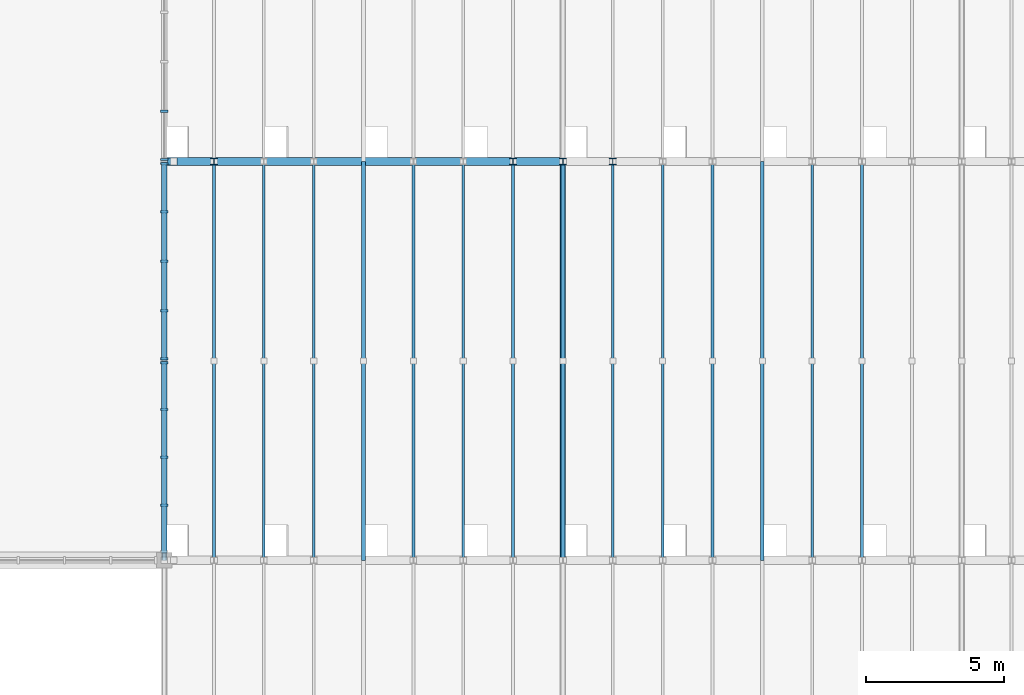
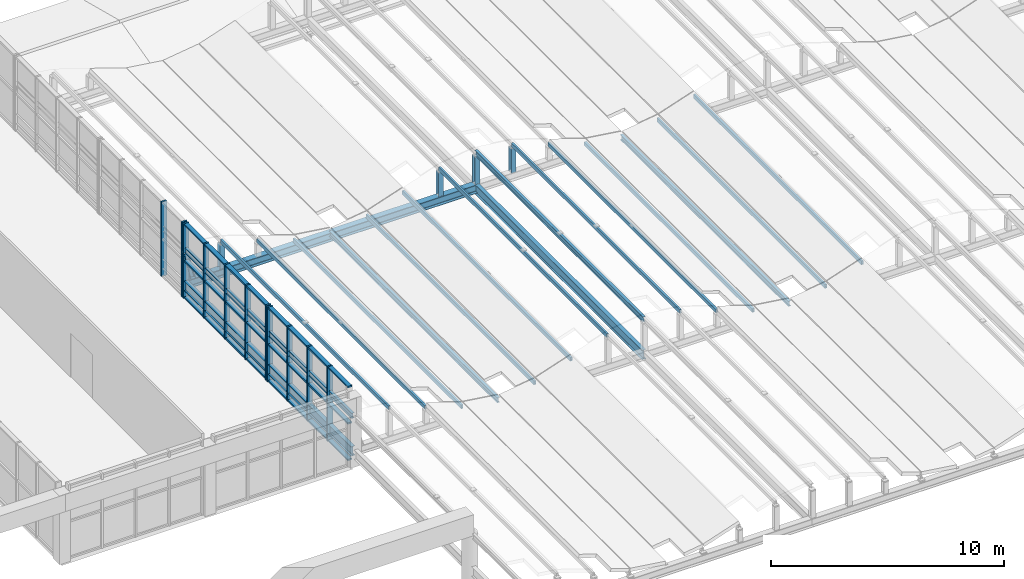
# One storey, part 15 of 83: 37 members, 3 beams, 3 elements without a shape of their own.
"""IFC4 building model written with IfcOpenShell, lengths in metres."""

from ifc_helpers import new_model, si_unit, direction, frame, origin, origin_2d, place, context, subcontext, project, spatial, rectangle, hollow_rectangle, i_section, extrude, material, material_profile, profile_set, type_object, element, aggregate, save


model = new_model("IFC4")

# Units and contexts
model_context = context("Model", 3, precision=1e-05, world=origin(), true_north=direction((0.0, 1.0)))
body_context = subcontext(model_context, "Body", "Model", "MODEL_VIEW")
ifc_project = project(units=[si_unit("LENGTHUNIT", "METRE"), si_unit("AREAUNIT", "SQUARE_METRE"), si_unit("VOLUMEUNIT", "CUBIC_METRE"), si_unit("PLANEANGLEUNIT", "RADIAN"), si_unit("MASSUNIT", "GRAM", prefix="KILO")], contexts=[model_context])

# Site, building, storey
site_placement = place(None, origin())
site = spatial("IfcSite", under=ifc_project, at=site_placement, CompositionType="ELEMENT")
building_placement = place(site_placement, origin())
building = spatial("IfcBuilding", under=site, at=building_placement, Name="Leyfeld Transit Interchange", CompositionType="ELEMENT")
storey_placement = place(building_placement, frame((0.0, 0.0, 5.39990234375)))
storey = spatial("IfcBuildingStorey", under=building, at=storey_placement, Name="L01", CompositionType="ELEMENT", Elevation=5.39990234375)

# Beams
ifc_material_1 = material(Name="Steel S355J2", Category="steel")
ifc_material_profile_1 = material_profile(ifc_material_1, i_section(OverallWidth=0.300048828125, OverallDepth=0.449951171875, WebThickness=0.013916015625, FlangeThickness=0.02587890625, FilletRadius=0.027099609375, at=origin_2d()), Name="HEB 450")
ifc_profile_set_1 = profile_set([ifc_material_profile_1], Name="Steel S355J2")
beam_type_1 = type_object("IfcBeamType", Name="BM-STL-HEB450", PredefinedType="JOIST", material=ifc_profile_set_1)
beam_placement = place(storey_placement, frame((100.800048828125, 28.800048828125, 0.675048828125), z_axis=(1.0, 0.0, 0.0), x_axis=(0.0, 1.0, 0.0)))
element("IfcBeam", 1, at=beam_placement, inside=storey, type_object=beam_type_1, Name="Bus Canopy Longitudinal Girder R3 B1", PredefinedType="JOIST", context=body_context, shape_type="SweptSolid", body=[
    extrude(i_section(OverallWidth=0.300048828125, OverallDepth=0.449951171875, WebThickness=0.013916015625, FlangeThickness=0.02587890625, FilletRadius=0.027099609375, at=origin_2d()), origin(), (0.0, 0.0, 1.0), 14.39990234375),
])
ifc_material_profile_2 = material_profile(ifc_material_1, i_section(OverallWidth=0.199951171875, OverallDepth=0.5, WebThickness=0.01025390625, FlangeThickness=0.01611328125, FilletRadius=0.02099609375, at=origin_2d()), Name="IPE 500")
ifc_profile_set_2 = profile_set([ifc_material_profile_2], Name="Steel S355J2")
beam_type_2 = type_object("IfcBeamType", Name="BM-STL-IPE500", PredefinedType="BEAM", material=ifc_profile_set_2)
for number, where, z_axis, x_axis, name in (
    (2, (100.800048828125, 14.39990234375, 0.650146484375), (0.0, 1.0, 0.0), (-1.0, 0.0, 0.0), "Bus Canopy Transverse Portal Girder B1 R2"),
    (3, (115.199951171875, 14.39990234375, 0.650146484375), (0.0, 1.0, 0.0), (-1.0, 0.0, 0.0), "Bus Canopy Transverse Portal Girder B2 R2"),
):
    element("IfcBeam", number, at=place(storey_placement, frame(where, z_axis=z_axis, x_axis=x_axis)), inside=storey, type_object=beam_type_2, Name=name, PredefinedType="BEAM", context=body_context, shape_type="SweptSolid", body=[
        extrude(i_section(OverallWidth=0.199951171875, OverallDepth=0.5, WebThickness=0.01025390625, FlangeThickness=0.01611328125, FilletRadius=0.02099609375, at=origin_2d()), origin(), (0.0, 0.0, 1.0), 14.400146484375),
    ])

# Curtain wall, members
ifc_material_2 = material(Name="Anodised aluminium EN AW-6060 T66", Category="aluminium")
curtain_wall_type = type_object("IfcCurtainWallType", Name="CW-SYS-ARC-7200", PredefinedType="NOTDEFINED", material=ifc_material_2)
curtain_wall_1_placement = place(storey_placement, origin())
curtain_wall_1 = element("IfcCurtainWall", 4, at=curtain_wall_1_placement, inside=storey, type_object=curtain_wall_type, Name="Curtain Wall CW-L01-083", PredefinedType="NOTDEFINED")
ifc_material_profile_3 = material_profile(ifc_material_2, rectangle(XDim=0.0849609375, YDim=0.260009765625, at=origin_2d()), Name="CW-M 85x260")
ifc_profile_set_3 = profile_set([ifc_material_profile_3], Name="Anodised aluminium EN AW-6060 T66")
member_type_1 = type_object("IfcMemberType", Name="CW-MUL-220x80", PredefinedType="MULLION", material=ifc_profile_set_3)
member_1_placement = place(storey_placement, frame((100.800048828125, 30.614990234375, 0.0), z_axis=(0.0, 0.0, 1.0), x_axis=(0.0, -1.0, 0.0)))
member_1 = element("IfcMember", 5, at=member_1_placement, type_object=member_type_1, Name="Curtain Mullion CW-L01-083-M04", PredefinedType="MULLION", context=body_context, shape_type="SweptSolid", body=[
    extrude(rectangle(XDim=0.0849609375, YDim=0.260009765625, at=origin_2d()), origin(), (0.0, 0.0, 1.0), 3.900146484375),
])
member_2_placement = place(storey_placement, frame((100.800048828125, 28.87255859375, 0.0), z_axis=(0.0, 0.0, 1.0), x_axis=(0.0, -1.0, 0.0)))
member_2 = element("IfcMember", 6, at=member_2_placement, type_object=member_type_1, Name="Curtain Mullion CW-L01-083-M05", PredefinedType="MULLION", context=body_context, shape_type="SweptSolid", body=[
    extrude(rectangle(XDim=0.0849609375, YDim=0.260009765625, at=origin_2d()), origin(), (0.0, 0.0, 1.0), 3.900146484375),
])
aggregate(curtain_wall_1, [member_1, member_2])

curtain_wall_2_placement = place(storey_placement, origin())
curtain_wall_2 = element("IfcCurtainWall", 7, at=curtain_wall_2_placement, inside=storey, type_object=curtain_wall_type, Name="Curtain Wall CW-L01-084", PredefinedType="NOTDEFINED")
member_3_placement = place(storey_placement, frame((100.800048828125, 28.7275390625, 0.0), z_axis=(0.0, 0.0, 1.0), x_axis=(0.0, -1.0, 0.0)))
member_3 = element("IfcMember", 8, at=member_3_placement, type_object=member_type_1, Name="Curtain Mullion CW-L01-084-M01", PredefinedType="MULLION", context=body_context, shape_type="SweptSolid", body=[
    extrude(rectangle(XDim=0.0849609375, YDim=0.260009765625, at=origin_2d()), origin(), (0.0, 0.0, 1.0), 3.900146484375),
])
member_4_placement = place(storey_placement, frame((100.800048828125, 26.985107421875, 0.0), z_axis=(0.0, 0.0, 1.0), x_axis=(0.0, -1.0, 0.0)))
member_4 = element("IfcMember", 9, at=member_4_placement, type_object=member_type_1, Name="Curtain Mullion CW-L01-084-M02", PredefinedType="MULLION", context=body_context, shape_type="SweptSolid", body=[
    extrude(rectangle(XDim=0.0849609375, YDim=0.260009765625, at=origin_2d()), origin(), (0.0, 0.0, 1.0), 3.900146484375),
])
member_5_placement = place(storey_placement, frame((100.800048828125, 25.199951171875, 0.0), z_axis=(0.0, 0.0, 1.0), x_axis=(0.0, -1.0, 0.0)))
member_5 = element("IfcMember", 10, at=member_5_placement, type_object=member_type_1, Name="Curtain Mullion CW-L01-084-M03", PredefinedType="MULLION", context=body_context, shape_type="SweptSolid", body=[
    extrude(rectangle(XDim=0.0849609375, YDim=0.260009765625, at=origin_2d()), origin(), (0.0, 0.0, 1.0), 3.900146484375),
])
member_6_placement = place(storey_placement, frame((100.800048828125, 23.4150390625, 0.0), z_axis=(0.0, 0.0, 1.0), x_axis=(0.0, -1.0, 0.0)))
member_6 = element("IfcMember", 11, at=member_6_placement, type_object=member_type_1, Name="Curtain Mullion CW-L01-084-M04", PredefinedType="MULLION", context=body_context, shape_type="SweptSolid", body=[
    extrude(rectangle(XDim=0.0849609375, YDim=0.260009765625, at=origin_2d()), origin(), (0.0, 0.0, 1.0), 3.900146484375),
])
member_7_placement = place(storey_placement, frame((100.800048828125, 21.672607421875, 0.0), z_axis=(0.0, 0.0, 1.0), x_axis=(0.0, -1.0, 0.0)))
member_7 = element("IfcMember", 12, at=member_7_placement, type_object=member_type_1, Name="Curtain Mullion CW-L01-084-M05", PredefinedType="MULLION", context=body_context, shape_type="SweptSolid", body=[
    extrude(rectangle(XDim=0.0849609375, YDim=0.260009765625, at=origin_2d()), origin(), (0.0, 0.0, 1.0), 3.900146484375),
])

curtain_wall_3_placement = place(storey_placement, origin())
curtain_wall_3 = element("IfcCurtainWall", 13, at=curtain_wall_3_placement, inside=storey, type_object=curtain_wall_type, Name="Curtain Wall CW-L01-085", PredefinedType="NOTDEFINED")
member_8_placement = place(storey_placement, frame((100.800048828125, 21.527587890625, 0.0), z_axis=(0.0, 0.0, 1.0), x_axis=(0.0, -1.0, 0.0)))
member_8 = element("IfcMember", 14, at=member_8_placement, type_object=member_type_1, Name="Curtain Mullion CW-L01-085-M01", PredefinedType="MULLION", context=body_context, shape_type="SweptSolid", body=[
    extrude(rectangle(XDim=0.0849609375, YDim=0.260009765625, at=origin_2d()), origin(), (0.0, 0.0, 1.0), 3.900146484375),
])
member_9_placement = place(storey_placement, frame((100.800048828125, 19.84375, 0.0), z_axis=(0.0, 0.0, 1.0), x_axis=(0.0, -1.0, 0.0)))
member_9 = element("IfcMember", 15, at=member_9_placement, type_object=member_type_1, Name="Curtain Mullion CW-L01-085-M02", PredefinedType="MULLION", context=body_context, shape_type="SweptSolid", body=[
    extrude(rectangle(XDim=0.0849609375, YDim=0.260009765625, at=origin_2d()), origin(), (0.0, 0.0, 1.0), 3.900146484375),
])
member_10_placement = place(storey_placement, frame((100.800048828125, 18.117431640625, 0.0), z_axis=(0.0, 0.0, 1.0), x_axis=(0.0, -1.0, 0.0)))
member_10 = element("IfcMember", 16, at=member_10_placement, type_object=member_type_1, Name="Curtain Mullion CW-L01-085-M03", PredefinedType="MULLION", context=body_context, shape_type="SweptSolid", body=[
    extrude(rectangle(XDim=0.0849609375, YDim=0.260009765625, at=origin_2d()), origin(), (0.0, 0.0, 1.0), 3.900146484375),
])
member_11_placement = place(storey_placement, frame((100.800048828125, 16.39111328125, 0.0), z_axis=(0.0, 0.0, 1.0), x_axis=(0.0, -1.0, 0.0)))
member_11 = element("IfcMember", 17, at=member_11_placement, type_object=member_type_1, Name="Curtain Mullion CW-L01-085-M04", PredefinedType="MULLION", context=body_context, shape_type="SweptSolid", body=[
    extrude(rectangle(XDim=0.0849609375, YDim=0.260009765625, at=origin_2d()), origin(), (0.0, 0.0, 1.0), 3.900146484375),
])

# Member
ifc_material_profile_4 = material_profile(ifc_material_2, rectangle(XDim=0.2099609375, YDim=0.0849609375, at=origin_2d()), Name="CW-TRN-200x80")
ifc_profile_set_4 = profile_set([ifc_material_profile_4], Name="Anodised aluminium EN AW-6060 T66")
member_type_2 = type_object("IfcMemberType", Name="CW-TRN-200x80", PredefinedType="USERDEFINED", material=ifc_profile_set_4)
member_12_placement = place(storey_placement, frame((100.800048828125, 28.77001953125, 0.04248046875), z_axis=(0.0, -1.0, 0.0), x_axis=(1.0, 0.0, 0.0)))
member_12 = element("IfcMember", 18, at=member_12_placement, type_object=member_type_2, Name="Curtain Transom CW-L01-084-T01", ObjectType="TRANSOM", PredefinedType="USERDEFINED", context=body_context, shape_type="SweptSolid", body=[
    extrude(rectangle(XDim=0.2099609375, YDim=0.0849609375, at=origin_2d()), origin(), (0.0, 0.0, 1.0), 7.14013671875),
])

member_13_placement = place(storey_placement, frame((100.800048828125, 28.77001953125, 1.9501953125), z_axis=(0.0, -1.0, 0.0), x_axis=(1.0, 0.0, 0.0)))
member_13 = element("IfcMember", 19, at=member_13_placement, type_object=member_type_2, Name="Curtain Transom CW-L01-084-T02", ObjectType="TRANSOM", PredefinedType="USERDEFINED", context=body_context, shape_type="SweptSolid", body=[
    extrude(rectangle(XDim=0.2099609375, YDim=0.0849609375, at=origin_2d()), origin(), (0.0, 0.0, 1.0), 7.14013671875),
])

member_14_placement = place(storey_placement, frame((100.800048828125, 28.77001953125, 3.857666015625), z_axis=(0.0, -1.0, 0.0), x_axis=(1.0, 0.0, 0.0)))
member_14 = element("IfcMember", 20, at=member_14_placement, type_object=member_type_2, Name="Curtain Transom CW-L01-084-T03", ObjectType="TRANSOM", PredefinedType="USERDEFINED", context=body_context, shape_type="SweptSolid", body=[
    extrude(rectangle(XDim=0.2099609375, YDim=0.0849609375, at=origin_2d()), origin(), (0.0, 0.0, 1.0), 7.14013671875),
])

aggregate(curtain_wall_2, [member_3, member_4, member_5, member_6, member_7, member_12, member_13, member_14])

member_15_placement = place(storey_placement, frame((100.800048828125, 21.570068359375, 0.04248046875), z_axis=(0.0, -1.0, 0.0), x_axis=(1.0, 0.0, 0.0)))
member_15 = element("IfcMember", 21, at=member_15_placement, type_object=member_type_2, Name="Curtain Transom CW-L01-085-T01", ObjectType="TRANSOM", PredefinedType="USERDEFINED", context=body_context, shape_type="SweptSolid", body=[
    extrude(rectangle(XDim=0.2099609375, YDim=0.0849609375, at=origin_2d()), origin(), (0.0, 0.0, 1.0), 6.905029296875),
])

member_16_placement = place(storey_placement, frame((100.800048828125, 21.570068359375, 1.9501953125), z_axis=(0.0, -1.0, 0.0), x_axis=(1.0, 0.0, 0.0)))
member_16 = element("IfcMember", 22, at=member_16_placement, type_object=member_type_2, Name="Curtain Transom CW-L01-085-T02", ObjectType="TRANSOM", PredefinedType="USERDEFINED", context=body_context, shape_type="SweptSolid", body=[
    extrude(rectangle(XDim=0.2099609375, YDim=0.0849609375, at=origin_2d()), origin(), (0.0, 0.0, 1.0), 6.905029296875),
])

member_17_placement = place(storey_placement, frame((100.800048828125, 21.570068359375, 3.857666015625), z_axis=(0.0, -1.0, 0.0), x_axis=(1.0, 0.0, 0.0)))
member_17 = element("IfcMember", 23, at=member_17_placement, type_object=member_type_2, Name="Curtain Transom CW-L01-085-T03", ObjectType="TRANSOM", PredefinedType="USERDEFINED", context=body_context, shape_type="SweptSolid", body=[
    extrude(rectangle(XDim=0.2099609375, YDim=0.0849609375, at=origin_2d()), origin(), (0.0, 0.0, 1.0), 6.905029296875),
])

aggregate(curtain_wall_3, [member_8, member_9, member_10, member_11, member_15, member_16, member_17])

# Members
ifc_material_profile_5 = material_profile(ifc_material_1, i_section(OverallWidth=0.239990234375, OverallDepth=0.22998046875, WebThickness=0.007568359375, FlangeThickness=0.011962890625, FilletRadius=0.02099609375, at=origin_2d()), Name="HEA 240")
ifc_profile_set_5 = profile_set([ifc_material_profile_5], Name="Steel S355J2")
member_type_3 = type_object("IfcMemberType", Name="MEM-CHD-HEA240", PredefinedType="CHORD", material=ifc_profile_set_5)
member_18_placement = place(storey_placement, frame((101.14990234375, 28.800048828125, 0.860107421875), z_axis=(-0.228870190503, 0.0, 0.973456951231), x_axis=(0.0, -1.0, 0.0)))
element("IfcMember", 24, at=member_18_placement, inside=storey, type_object=member_type_3, Name="Wave Canopy Riser Post 006", PredefinedType="CHORD", context=body_context, shape_type="SweptSolid", body=[
    extrude(i_section(OverallWidth=0.239990234375, OverallDepth=0.22998046875, WebThickness=0.007568359375, FlangeThickness=0.011962890625, FilletRadius=0.02099609375, at=origin_2d()), origin(), (0.0, 0.0, 1.0), 1.528564453125),
])
for number, where, z_axis, x_axis, name in (
    (25, (102.60009765625, 28.800048828125, 0.860107421875), (0.0, 0.0, 1.0), (1.0, 0.0, 0.0), "Wave Canopy Riser Post 013"),
    (26, (113.39990234375, 28.800048828125, 0.860107421875), (0.0, 0.0, 1.0), (1.0, 0.0, 0.0), "Wave Canopy Riser Post 051"),
):
    element("IfcMember", number, at=place(storey_placement, frame(where, z_axis=z_axis, x_axis=x_axis)), inside=storey, type_object=member_type_3, Name=name, PredefinedType="CHORD", context=body_context, shape_type="SweptSolid", body=[
        extrude(i_section(OverallWidth=0.239990234375, OverallDepth=0.22998046875, WebThickness=0.007568359375, FlangeThickness=0.011962890625, FilletRadius=0.02099609375, at=origin_2d()), origin(), (0.0, 0.0, 1.0), 1.2998046875),
    ])
member_19_placement = place(storey_placement, frame((115.199951171875, 28.800048828125, 0.860107421875), z_axis=(0.0, 0.0, 1.0), x_axis=(1.0, 0.0, 0.0)))
element("IfcMember", 27, at=member_19_placement, inside=storey, type_object=member_type_3, Name="Wave Canopy Riser Post 058", PredefinedType="CHORD", context=body_context, shape_type="SweptSolid", body=[
    extrude(i_section(OverallWidth=0.239990234375, OverallDepth=0.22998046875, WebThickness=0.007568359375, FlangeThickness=0.011962890625, FilletRadius=0.02099609375, at=origin_2d()), origin(), (0.0, 0.0, 1.0), 1.488037109375),
])
member_20_placement = place(storey_placement, frame((117.0, 28.800048828125, 0.860107421875), z_axis=(0.0, 0.0, 1.0), x_axis=(1.0, 0.0, 0.0)))
element("IfcMember", 28, at=member_20_placement, inside=storey, type_object=member_type_3, Name="Wave Canopy Riser Post 065", PredefinedType="CHORD", context=body_context, shape_type="SweptSolid", body=[
    extrude(i_section(OverallWidth=0.239990234375, OverallDepth=0.22998046875, WebThickness=0.007568359375, FlangeThickness=0.011962890625, FilletRadius=0.02099609375, at=origin_2d()), origin(), (0.0, 0.0, 1.0), 1.2998046875),
])
ifc_material_profile_6 = material_profile(ifc_material_1, i_section(OverallWidth=0.135009765625, OverallDepth=0.27001953125, WebThickness=0.006591796875, FlangeThickness=0.01025390625, FilletRadius=0.014892578125, at=origin_2d()), Name="IPE 270")
ifc_profile_set_6 = profile_set([ifc_material_profile_6], Name="Steel S355J2")
member_type_4 = type_object("IfcMemberType", Name="MEM-PUR-IPE270", PredefinedType="PURLIN", material=ifc_profile_set_6)
for number, where, z_axis, x_axis, name in (
    (29, (100.800048828125, 14.39990234375, 2.498291015625), (0.0, 1.0, 0.0), (-1.0, 0.0, 0.0), "Bus Canopy Purlin 003"),
    (30, (108.0, 14.39990234375, 0.792724609375), (0.0, 1.0, 0.0), (-1.0, 0.0, 0.0), "Bus Canopy Purlin 030"),
    (31, (115.199951171875, 14.39990234375, 2.498291015625), (0.0, 1.0, 0.0), (-1.0, 0.0, 0.0), "Bus Canopy Purlin 055"),
    (32, (122.39990234375, 14.39990234375, 0.792724609375), (0.0, 1.0, 0.0), (-1.0, 0.0, 0.0), "Bus Canopy Purlin 082"),
):
    element("IfcMember", number, at=place(storey_placement, frame(where, z_axis=z_axis, x_axis=x_axis)), inside=storey, type_object=member_type_4, Name=name, PredefinedType="PURLIN", context=body_context, shape_type="SweptSolid", body=[
        extrude(i_section(OverallWidth=0.135009765625, OverallDepth=0.27001953125, WebThickness=0.006591796875, FlangeThickness=0.01025390625, FilletRadius=0.014892578125, at=origin_2d()), origin(), (0.0, 0.0, 1.0), 14.400146484375),
    ])
ifc_material_profile_7 = material_profile(ifc_material_1, hollow_rectangle(XDim=0.10009765625, YDim=0.199951171875, WallThickness=0.008056640625, at=origin_2d()), Name="RHS 200x100x8")
ifc_profile_set_7 = profile_set([ifc_material_profile_7], Name="Steel S355J2")
member_type_5 = type_object("IfcMemberType", Name="MEM-PUR-RHS200", PredefinedType="PURLIN", material=ifc_profile_set_7)
for number, where, z_axis, x_axis, name in (
    (33, (102.60009765625, 14.39990234375, 2.275634765625), (0.0, 1.0, 0.0), (-1.0, 0.0, 0.0), "Bus Canopy Purlin 010"),
    (34, (104.39990234375, 14.39990234375, 1.67236328125), (0.0, 1.0, 0.0), (-1.0, 0.0, 0.0), "Bus Canopy Purlin 017"),
    (35, (106.199951171875, 14.39990234375, 1.07080078125), (0.0, 1.0, 0.0), (-1.0, 0.0, 0.0), "Bus Canopy Purlin 024"),
    (36, (109.800048828125, 14.39990234375, 1.07080078125), (0.0, 1.0, 0.0), (-1.0, 0.0, 0.0), "Bus Canopy Purlin 034"),
    (37, (111.60009765625, 14.39990234375, 1.67236328125), (0.0, 1.0, 0.0), (-1.0, 0.0, 0.0), "Bus Canopy Purlin 041"),
    (38, (113.39990234375, 14.39990234375, 2.275634765625), (0.0, 1.0, 0.0), (-1.0, 0.0, 0.0), "Bus Canopy Purlin 048"),
    (39, (117.0, 14.39990234375, 2.275634765625), (0.0, 1.0, 0.0), (-1.0, 0.0, 0.0), "Bus Canopy Purlin 062"),
    (40, (118.800048828125, 14.39990234375, 1.67236328125), (0.0, 1.0, 0.0), (-1.0, 0.0, 0.0), "Bus Canopy Purlin 069"),
    (41, (120.60009765625, 14.39990234375, 1.07080078125), (0.0, 1.0, 0.0), (-1.0, 0.0, 0.0), "Bus Canopy Purlin 076"),
    (42, (124.199951171875, 14.39990234375, 1.07080078125), (0.0, 1.0, 0.0), (-1.0, 0.0, 0.0), "Bus Canopy Purlin 086"),
    (43, (126.0, 14.39990234375, 1.67236328125), (0.0, 1.0, 0.0), (-1.0, 0.0, 0.0), "Bus Canopy Purlin 093"),
):
    element("IfcMember", number, at=place(storey_placement, frame(where, z_axis=z_axis, x_axis=x_axis)), inside=storey, type_object=member_type_5, Name=name, PredefinedType="PURLIN", context=body_context, shape_type="SweptSolid", body=[
        extrude(hollow_rectangle(XDim=0.10009765625, YDim=0.199951171875, WallThickness=0.008056640625, at=origin_2d()), origin(), (0.0, 0.0, 1.0), 14.400146484375),
    ])

save(model, "model.ifc")
